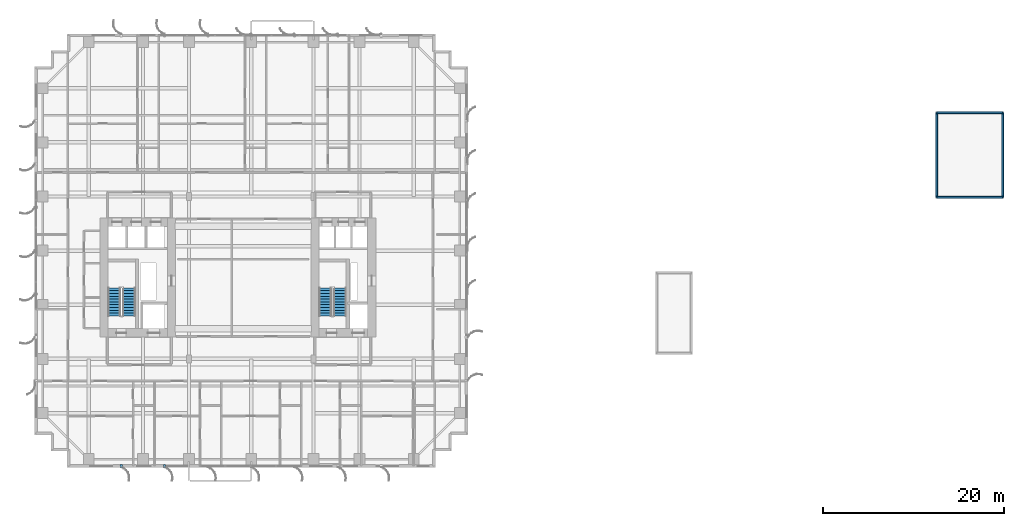
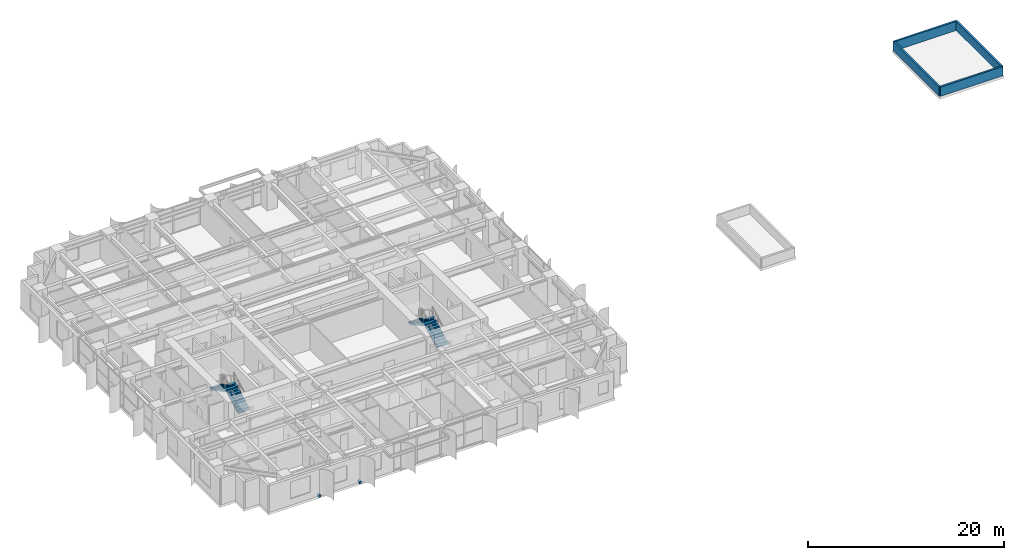
# One storey, part 21 of 26: 4 stair flights, 4 walls, 2 discrete accessories, 2 elements without a shape of their own.
"""IFC4 building model written with IfcOpenShell, lengths in metres."""

from ifc_helpers import new_model, si_unit, direction, frame, frame_2d, origin, origin_2d, place, context, subcontext, project, spatial, polyline, rectangle, outline, extrude, source, transform, mapped, material, layer, layer_set, type_object, element, aggregate, save


model = new_model("IFC4")

# Units and contexts
model_context = context("Model", 3, precision=1e-05, world=origin(), true_north=direction((0.0, 1.0)))
body_context = subcontext(model_context, "Body", "Model", "MODEL_VIEW")
ifc_project = project(units=[si_unit("LENGTHUNIT", "METRE"), si_unit("AREAUNIT", "SQUARE_METRE"), si_unit("VOLUMEUNIT", "CUBIC_METRE"), si_unit("PLANEANGLEUNIT", "RADIAN"), si_unit("MASSUNIT", "GRAM", prefix="KILO")], contexts=[model_context])

# Site, building, storey
site_placement = place(None, origin())
site = spatial("IfcSite", under=ifc_project, at=site_placement, CompositionType="ELEMENT")
building_placement = place(site_placement, origin())
building = spatial("IfcBuilding", under=site, at=building_placement, Name="Khoralis Quay Care Tower", CompositionType="ELEMENT")
storey_placement = place(building_placement, frame((0.0, 0.0, 26.10009765625)))
storey = spatial("IfcBuildingStorey", under=building, at=storey_placement, Name="L06", CompositionType="ELEMENT", Elevation=26.10009765625)

# Walls
ifc_material_1 = material(Name="Precast concrete C40/50", Category="concrete")
ifc_layer = layer(ifc_material_1, 0.219970703125)
ifc_layer_set = layer_set([ifc_layer], Name="Precast concrete C40/50")
wall_type = type_object("IfcWallType", Name="WL-PARAPET-220", PredefinedType="PARAPET", material=ifc_layer_set)
wall_1_placement = place(storey_placement, frame((99.929931640625, 29.929931640625, 0.0), z_axis=(0.0, 0.0, 1.0), x_axis=(1.0, 0.0, 0.0)))
element("IfcWall", 1, at=wall_1_placement, inside=storey, type_object=wall_type, Name="School Stair Head-House 2 Roof Parapet 1", PredefinedType="PARAPET", context=body_context, shape_type="SweptSolid", body=[
    extrude(rectangle(XDim=7.340087890625, YDim=0.219970703125, at=frame_2d((3.669921875, 0.0))), origin(), (0.0, 0.0, 1.0), 1.14990234375),
])
wall_2_placement = place(storey_placement, frame((107.27001953125, 29.929931640625, 0.0), z_axis=(0.0, 0.0, 1.0), x_axis=(0.0, 1.0, 0.0)))
element("IfcWall", 2, at=wall_2_placement, inside=storey, type_object=wall_type, Name="School Stair Head-House 2 Roof Parapet 2", PredefinedType="PARAPET", context=body_context, shape_type="SweptSolid", body=[
    extrude(rectangle(XDim=9.340087890625, YDim=0.219970703125, at=frame_2d((4.669921875, 0.0))), origin(), (0.0, 0.0, 1.0), 1.14990234375),
])
wall_3_placement = place(storey_placement, frame((107.27001953125, 39.27001953125, 0.0), z_axis=(0.0, 0.0, 1.0), x_axis=(-1.0, 0.0, 0.0)))
element("IfcWall", 3, at=wall_3_placement, inside=storey, type_object=wall_type, Name="School Stair Head-House 2 Roof Parapet 3", PredefinedType="PARAPET", context=body_context, shape_type="SweptSolid", body=[
    extrude(rectangle(XDim=7.340087890625, YDim=0.219970703125, at=frame_2d((3.669921875, 0.0))), origin(), (0.0, 0.0, 1.0), 1.14990234375),
])
wall_4_placement = place(storey_placement, frame((99.929931640625, 39.27001953125, 0.0), z_axis=(0.0, 0.0, 1.0), x_axis=(0.0, -1.0, 0.0)))
element("IfcWall", 4, at=wall_4_placement, inside=storey, type_object=wall_type, Name="School Stair Head-House 2 Roof Parapet 4", PredefinedType="PARAPET", context=body_context, shape_type="SweptSolid", body=[
    extrude(rectangle(XDim=9.340087890625, YDim=0.219970703125, at=frame_2d((4.669921875, 0.0))), origin(), (0.0, 0.0, 1.0), 1.14990234375),
])

# Stair, stair flights
ifc_material_2 = material(Name="Precast concrete C45/55", Category="concrete")
stair_type = type_object("IfcStairType", Name="ST-TWR-DOGLEG-1400", PredefinedType="HALF_TURN_STAIR", material=ifc_material_2)
stair_1_placement = place(storey_placement, origin())
stair_1 = element("IfcStair", 5, at=stair_1_placement, inside=storey, type_object=stair_type, Name="L06 West Core Exit Stair ST-T1", PredefinedType="HALF_TURN_STAIR")
stair_flight_type = type_object("IfcStairFlightType", Name="SF-TWR-1400", PredefinedType="STRAIGHT", material=ifc_material_2)
shared_shape_1 = source(origin(), body_context, "Body", "SweptSolid", [
    extrude(outline(polyline([(0.0, 0.0), (0.0, 0.16357421875), (0.31005859375, 0.16357421875), (0.31005859375, 0.327392578125), (0.6201171875, 0.327392578125), (0.6201171875, 0.490966796875), (0.929931640625, 0.490966796875), (0.929931640625, 0.654541015625), (1.239990234375, 0.654541015625), (1.239990234375, 0.818115234375), (1.550048828125, 0.818115234375), (1.550048828125, 0.98193359375), (1.860107421875, 0.98193359375), (1.860107421875, 1.1455078125), (2.169921875, 1.1455078125), (2.169921875, 1.30908203125), (2.47998046875, 1.30908203125), (2.47998046875, 1.47265625), (2.7900390625, 1.47265625), (2.7900390625, 1.636474609375), (3.10009765625, 1.636474609375), (3.10009765625, 1.800048828125), (3.10009765625, 1.466796875), (0.321044921875, 0.0), (0.0, 0.0)])), frame((0.0, 0.68994140625, 0.0), z_axis=(0.0, -1.0, 0.0), x_axis=(1.0, 0.0, 0.0)), (0.0, 0.0, 1.0), 1.3798828125),
])
stair_flight_1_placement = place(storey_placement, frame((10.4599609375, 16.77001953125, 0.0), z_axis=(0.0, 0.0, 1.0), x_axis=(0.0, 1.0, 0.0)))
stair_flight_1 = element("IfcStairFlight", 6, at=stair_flight_1_placement, type_object=stair_flight_type, Name="ST-T1 flight 1", NumberOfRisers=11, NumberOfTreads=10, PredefinedType="STRAIGHT", RiserHeight=0.163636364, TreadLength=0.31, context=body_context, shape_type="MappedRepresentation", body=[
    mapped(shared_shape_1, transform((0.0, 0.0, 0.0), scale=1.0)),
])
stair_flight_2_placement = place(storey_placement, frame((8.840087890625, 19.8701171875, 1.7998046875), z_axis=(0.0, 0.0, 1.0), x_axis=(0.0, -1.0, 0.0)))
stair_flight_2 = element("IfcStairFlight", 7, at=stair_flight_2_placement, type_object=stair_flight_type, Name="ST-T1 flight 2", NumberOfRisers=11, NumberOfTreads=10, PredefinedType="STRAIGHT", RiserHeight=0.163636364, TreadLength=0.31, context=body_context, shape_type="MappedRepresentation", body=[
    mapped(shared_shape_1, transform((0.0, 0.0, 0.0), scale=1.0)),
])
aggregate(stair_1, [stair_flight_1, stair_flight_2])

stair_2_placement = place(storey_placement, origin())
stair_2 = element("IfcStair", 8, at=stair_2_placement, inside=storey, type_object=stair_type, Name="L06 East Core Exit Stair ST-T2", PredefinedType="HALF_TURN_STAIR")
stair_flight_3_placement = place(storey_placement, frame((33.830078125, 16.77001953125, 0.0), z_axis=(0.0, 0.0, 1.0), x_axis=(0.0, 1.0, 0.0)))
stair_flight_3 = element("IfcStairFlight", 9, at=stair_flight_3_placement, type_object=stair_flight_type, Name="ST-T2 flight 1", NumberOfRisers=11, NumberOfTreads=10, PredefinedType="STRAIGHT", RiserHeight=0.163636364, TreadLength=0.31, context=body_context, shape_type="MappedRepresentation", body=[
    mapped(shared_shape_1, transform((0.0, 0.0, 0.0), scale=1.0)),
])
stair_flight_4_placement = place(storey_placement, frame((32.2099609375, 19.8701171875, 1.7998046875), z_axis=(0.0, 0.0, 1.0), x_axis=(0.0, -1.0, 0.0)))
stair_flight_4 = element("IfcStairFlight", 10, at=stair_flight_4_placement, type_object=stair_flight_type, Name="ST-T2 flight 2", NumberOfRisers=11, NumberOfTreads=10, PredefinedType="STRAIGHT", RiserHeight=0.163636364, TreadLength=0.31, context=body_context, shape_type="MappedRepresentation", body=[
    mapped(shared_shape_1, transform((0.0, 0.0, 0.0), scale=1.0)),
])
aggregate(stair_2, [stair_flight_3, stair_flight_4])

# Discrete accessories
ifc_material_3 = material(Name="Brushed stainless steel", Category="steel")
discrete_accessory_type = type_object("IfcDiscreteAccessoryType", Name="ACC-FIN-BRACKET", PredefinedType="BRACKET", material=ifc_material_3)
shared_shape_2 = source(origin(), body_context, "Body", "SweptSolid", [
    extrude(rectangle(XDim=0.39990234375, YDim=0.239990234375, at=origin_2d()), origin(), (0.0, 0.0, 1.0), 0.280029296875),
])
for number, where, z_axis, x_axis, name in (
    (11, (9.60009765625, 0.110107421875, -0.1201171875), (0.0, 0.0, 1.0), (0.0, -1.0, 0.0), "L06 Solar Fin Bracket P1E0-01"),
    (12, (14.39990234375, 0.110107421875, -0.1201171875), (0.0, 0.0, 1.0), (0.0, -1.0, 0.0), "L06 Solar Fin Bracket P1E0-02"),
):
    element("IfcDiscreteAccessory", number, at=place(storey_placement, frame(where, z_axis=z_axis, x_axis=x_axis)), inside=storey, type_object=discrete_accessory_type, Name=name, PredefinedType="BRACKET", context=body_context, shape_type="MappedRepresentation", body=[
        mapped(shared_shape_2, transform((0.0, 0.0, 0.0), scale=1.0)),
    ])

save(model, "model.ifc")
